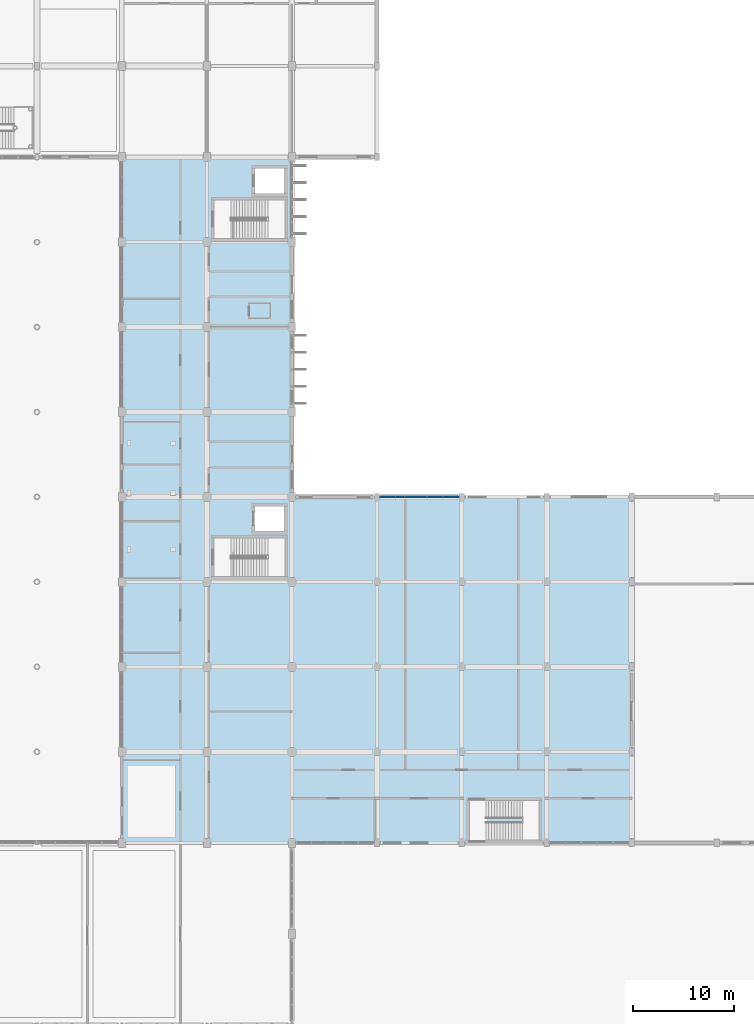
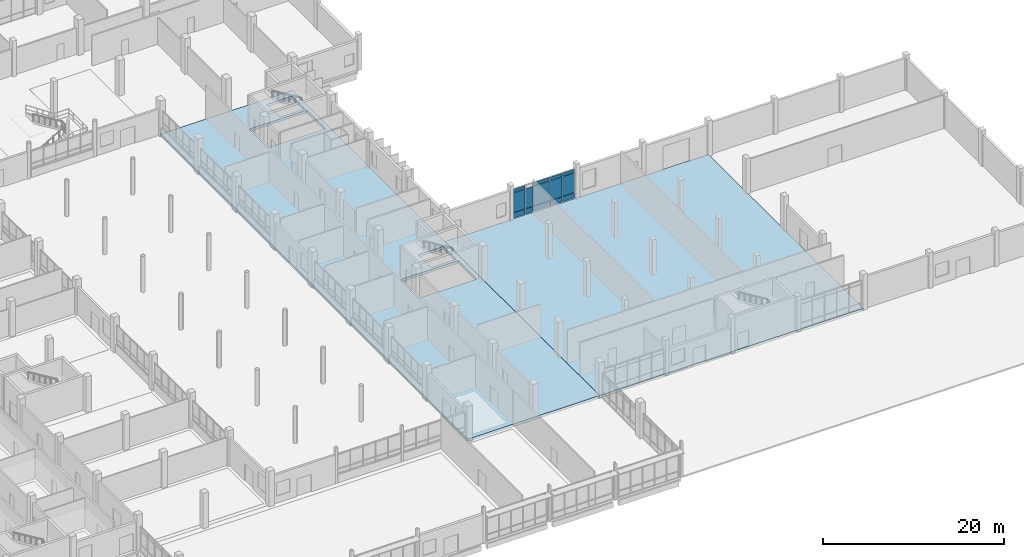
# One storey, part 67 of 95: 14 plates, 2 slabs, 4 openings, 1 element without a shape of its own.
"""IFC4 building model written with IfcOpenShell, lengths in metres."""

from ifc_helpers import new_model, si_unit, direction, frame, origin, origin_2d, place, context, subcontext, project, spatial, polyline, rectangle, outline, extrude, material, layer, layer_set, type_object, element, aggregate, save


model = new_model("IFC4")

# Units and contexts
model_context = context("Model", 3, precision=1e-05, world=origin(), true_north=direction((0.0, 1.0)))
body_context = subcontext(model_context, "Body", "Model", "MODEL_VIEW")
ifc_project = project(units=[si_unit("LENGTHUNIT", "METRE"), si_unit("AREAUNIT", "SQUARE_METRE"), si_unit("VOLUMEUNIT", "CUBIC_METRE"), si_unit("PLANEANGLEUNIT", "RADIAN"), si_unit("MASSUNIT", "GRAM", prefix="KILO")], contexts=[model_context])

# Site, building, storey
site_placement = place(None, origin())
site = spatial("IfcSite", under=ifc_project, at=site_placement, CompositionType="ELEMENT")
building_placement = place(site_placement, origin())
building = spatial("IfcBuilding", under=site, at=building_placement, Name="Vireocrest Preparatory School", CompositionType="ELEMENT")
storey_placement = place(building_placement, origin())
storey = spatial("IfcBuildingStorey", under=building, at=storey_placement, Name="L00", CompositionType="ELEMENT", Elevation=0.0)

# Curtain wall, plates
ifc_material_1 = material(Name="Thermally broken aluminium EN AW-6063-T6", Category="aluminium")
ifc_layer_1 = layer(ifc_material_1, 0.179931640625)
ifc_layer_set_1 = layer_set([ifc_layer_1], Name="Thermally broken aluminium EN AW-6063-T6")
curtain_wall_type = type_object("IfcCurtainWallType", Name="Library Reading Bay Glazing 7600x4200", PredefinedType="USERDEFINED", material=ifc_layer_set_1)
curtain_wall_placement = place(storey_placement, origin())
curtain_wall = element("IfcCurtainWall", 1, at=curtain_wall_placement, inside=storey, type_object=curtain_wall_type, Name="Curtain Wall CW16 CW_L00_CW16_1178_0522_000", ObjectType="CURTAIN WALL", PredefinedType="USERDEFINED")
ifc_material_2 = material(Name="Insulated triple low-e tempered safety glass", Category="glass")
ifc_layer_2 = layer(ifc_material_2, 0.074951171875)
ifc_layer_set_2 = layer_set([ifc_layer_2], Name="Insulated triple low-e tempered safety glass")
plate_type_1 = type_object("IfcPlateType", Name="Acoustic Triple-Glazed Lab Curtain Panel 75", PredefinedType="CURTAIN_PANEL", material=ifc_layer_set_2)
plate_1_placement = place(storey_placement, frame((118.66796875, 52.199951171875, 0.88232421875), z_axis=(0.0, 0.0, 1.0), x_axis=(1.0, 0.0, 0.0)))
plate_1 = element("IfcPlate", 2, at=plate_1_placement, type_object=plate_type_1, Name="CW Panel GL2 CW_L00_CW16_1178_0522_000-1-2", PredefinedType="CURTAIN_PANEL", context=body_context, shape_type="SweptSolid", body=[
    extrude(rectangle(XDim=1.5009765625, YDim=0.074951171875, at=origin_2d()), origin(), (0.0, 0.0, 1.0), 2.614990234375),
])
plate_2_placement = place(storey_placement, frame((118.66796875, 52.199951171875, 3.5625), z_axis=(0.0, 0.0, 1.0), x_axis=(1.0, 0.0, 0.0)))
plate_2 = element("IfcPlate", 3, at=plate_2_placement, type_object=plate_type_1, Name="CW Panel GL2 CW_L00_CW16_1178_0522_000-1-3", PredefinedType="CURTAIN_PANEL", context=body_context, shape_type="SweptSolid", body=[
    extrude(rectangle(XDim=1.5009765625, YDim=0.074951171875, at=origin_2d()), origin(), (0.0, 0.0, 1.0), 0.409912109375),
])
plate_3_placement = place(storey_placement, frame((119.925537109375, 52.199951171875, 0.88232421875), z_axis=(0.0, 0.0, 1.0), x_axis=(1.0, 0.0, 0.0)))
plate_3 = element("IfcPlate", 4, at=plate_3_placement, type_object=plate_type_1, Name="CW Panel GL2 CW_L00_CW16_1178_0522_000-2-2", PredefinedType="CURTAIN_PANEL", context=body_context, shape_type="SweptSolid", body=[
    extrude(rectangle(XDim=0.884033203125, YDim=0.074951171875, at=origin_2d()), origin(), (0.0, 0.0, 1.0), 2.614990234375),
])
plate_4_placement = place(storey_placement, frame((121.491455078125, 52.199951171875, 0.88232421875), z_axis=(0.0, 0.0, 1.0), x_axis=(1.0, 0.0, 0.0)))
plate_4 = element("IfcPlate", 5, at=plate_4_placement, type_object=plate_type_1, Name="CW Panel GL2 CW_L00_CW16_1178_0522_000-3-2", PredefinedType="CURTAIN_PANEL", context=body_context, shape_type="SweptSolid", body=[
    extrude(rectangle(XDim=2.117919921875, YDim=0.074951171875, at=origin_2d()), origin(), (0.0, 0.0, 1.0), 2.614990234375),
])
plate_5_placement = place(storey_placement, frame((121.491455078125, 52.199951171875, 3.5625), z_axis=(0.0, 0.0, 1.0), x_axis=(1.0, 0.0, 0.0)))
plate_5 = element("IfcPlate", 6, at=plate_5_placement, type_object=plate_type_1, Name="CW Panel GL2 CW_L00_CW16_1178_0522_000-3-3", PredefinedType="CURTAIN_PANEL", context=body_context, shape_type="SweptSolid", body=[
    extrude(rectangle(XDim=2.117919921875, YDim=0.074951171875, at=origin_2d()), origin(), (0.0, 0.0, 1.0), 0.409912109375),
])
plate_6_placement = place(storey_placement, frame((123.365966796875, 52.199951171875, 0.88232421875), z_axis=(0.0, 0.0, 1.0), x_axis=(1.0, 0.0, 0.0)))
plate_6 = element("IfcPlate", 7, at=plate_6_placement, type_object=plate_type_1, Name="CW Panel GL2 CW_L00_CW16_1178_0522_000-4-2", PredefinedType="CURTAIN_PANEL", context=body_context, shape_type="SweptSolid", body=[
    extrude(rectangle(XDim=1.5009765625, YDim=0.074951171875, at=origin_2d()), origin(), (0.0, 0.0, 1.0), 2.614990234375),
])
plate_7_placement = place(storey_placement, frame((123.365966796875, 52.199951171875, 3.5625), z_axis=(0.0, 0.0, 1.0), x_axis=(1.0, 0.0, 0.0)))
plate_7 = element("IfcPlate", 8, at=plate_7_placement, type_object=plate_type_1, Name="CW Panel GL2 CW_L00_CW16_1178_0522_000-4-3", PredefinedType="CURTAIN_PANEL", context=body_context, shape_type="SweptSolid", body=[
    extrude(rectangle(XDim=1.5009765625, YDim=0.074951171875, at=origin_2d()), origin(), (0.0, 0.0, 1.0), 0.409912109375),
])
plate_8_placement = place(storey_placement, frame((124.931884765625, 52.199951171875, 0.88232421875), z_axis=(0.0, 0.0, 1.0), x_axis=(1.0, 0.0, 0.0)))
plate_8 = element("IfcPlate", 9, at=plate_8_placement, type_object=plate_type_1, Name="CW Panel GL2 CW_L00_CW16_1178_0522_000-5-2", PredefinedType="CURTAIN_PANEL", context=body_context, shape_type="SweptSolid", body=[
    extrude(rectangle(XDim=1.5009765625, YDim=0.074951171875, at=origin_2d()), origin(), (0.0, 0.0, 1.0), 2.614990234375),
])
plate_9_placement = place(storey_placement, frame((124.931884765625, 52.199951171875, 3.5625), z_axis=(0.0, 0.0, 1.0), x_axis=(1.0, 0.0, 0.0)))
plate_9 = element("IfcPlate", 10, at=plate_9_placement, type_object=plate_type_1, Name="CW Panel GL2 CW_L00_CW16_1178_0522_000-5-3", PredefinedType="CURTAIN_PANEL", context=body_context, shape_type="SweptSolid", body=[
    extrude(rectangle(XDim=1.5009765625, YDim=0.074951171875, at=origin_2d()), origin(), (0.0, 0.0, 1.0), 0.409912109375),
])

# Slab, openings
ifc_material_3 = material(Name="Concrete 40 MPa", Category="concrete")
ifc_layer_3 = layer(ifc_material_3, 0.35009765625)
ifc_layer_set_3 = layer_set([ifc_layer_3], Name="Concrete 40 MPa")
slab_type = type_object("IfcSlabType", Name="Ground-Floor Structural Transfer RC Slab 350", PredefinedType="FLOOR", material=ifc_layer_set_3)
slab_1_placement = place(storey_placement, frame((0.0, 0.0, -0.35009765625)))
slab_1 = element("IfcSlab", 11, at=slab_1_placement, inside=storey, type_object=slab_type, Name="Slab L00_EAST_WING", PredefinedType="FLOOR", context=body_context, shape_type="SweptSolid", body=[
    extrude(outline(polyline([(92.39990234375, 18.0), (109.199951171875, 18.0), (109.199951171875, 85.800048828125), (92.39990234375, 85.800048828125), (92.39990234375, 18.0)])), origin(), (0.0, 0.0, 1.0), 0.35009765625),
])
opening_1_placement = place(slab_1_placement, frame((0.0, 0.0, -0.010009765625)))
element("IfcOpeningElement", 12, at=opening_1_placement, cuts=slab_1, Name="Slab Opening SLAB_L00_EAST_WING-1", PredefinedType="OPENING", context=body_context, shape_type="SweptSolid", body=[
    extrude(outline(polyline([(101.35009765625, 44.199951171875), (108.64990234375, 44.199951171875), (108.64990234375, 48.300048828125), (101.35009765625, 48.300048828125), (101.35009765625, 44.199951171875)])), origin(), (0.0, 0.0, 1.0), 0.3701171875),
])
opening_2_placement = place(slab_1_placement, frame((0.0, 0.0, -0.010009765625)))
element("IfcOpeningElement", 13, at=opening_2_placement, cuts=slab_1, Name="Slab Opening SLAB_L00_EAST_WING-2", PredefinedType="OPENING", context=body_context, shape_type="SweptSolid", body=[
    extrude(outline(polyline([(105.39990234375, 48.64990234375), (108.60009765625, 48.64990234375), (108.60009765625, 51.449951171875), (105.39990234375, 51.449951171875), (105.39990234375, 48.64990234375)])), origin(), (0.0, 0.0, 1.0), 0.3701171875),
])
opening_3_placement = place(slab_1_placement, frame((0.0, 0.0, -0.010009765625)))
element("IfcOpeningElement", 14, at=opening_3_placement, cuts=slab_1, Name="Slab Opening SLAB_L00_EAST_WING-3", PredefinedType="OPENING", context=body_context, shape_type="SweptSolid", body=[
    extrude(outline(polyline([(101.35009765625, 77.60009765625), (108.64990234375, 77.60009765625), (108.64990234375, 81.699951171875), (101.35009765625, 81.699951171875), (101.35009765625, 77.60009765625)])), origin(), (0.0, 0.0, 1.0), 0.3701171875),
])
opening_4_placement = place(slab_1_placement, frame((0.0, 0.0, -0.010009765625)))
element("IfcOpeningElement", 15, at=opening_4_placement, cuts=slab_1, Name="Slab Opening SLAB_L00_EAST_WING-4", PredefinedType="OPENING", context=body_context, shape_type="SweptSolid", body=[
    extrude(outline(polyline([(105.39990234375, 82.050048828125), (108.60009765625, 82.050048828125), (108.60009765625, 84.85009765625), (105.39990234375, 84.85009765625), (105.39990234375, 82.050048828125)])), origin(), (0.0, 0.0, 1.0), 0.3701171875),
])

# Slab
slab_2_placement = place(storey_placement, frame((0.0, 0.0, -0.35009765625)))
element("IfcSlab", 16, at=slab_2_placement, inside=storey, type_object=slab_type, Name="Slab L00_EAST_LINK", PredefinedType="FLOOR", context=body_context, shape_type="SweptSolid", body=[
    extrude(outline(polyline([(109.199951171875, 18.0), (142.800048828125, 18.0), (142.800048828125, 52.199951171875), (109.199951171875, 52.199951171875), (109.199951171875, 18.0)])), origin(), (0.0, 0.0, 1.0), 0.35009765625),
])

# Plate
ifc_material_4 = material(Name="Painted white aluminium cladding EN AW-6063-T6", Category="aluminium")
ifc_layer_4 = layer(ifc_material_4, 0.114990234375)
ifc_layer_set_4 = layer_set([ifc_layer_4], Name="Painted white aluminium cladding EN AW-6063-T6")
plate_type_2 = type_object("IfcPlateType", Name="Insulated White Spandrel Curtain Panel 115", PredefinedType="CURTAIN_PANEL", material=ifc_layer_set_4)
plate_10_placement = place(storey_placement, frame((118.66796875, 52.199951171875, 0.12744140625), z_axis=(0.0, 0.0, 1.0), x_axis=(1.0, 0.0, 0.0)))
plate_10 = element("IfcPlate", 17, at=plate_10_placement, type_object=plate_type_2, Name="CW Panel SP2 CW_L00_CW16_1178_0522_000-1-1", PredefinedType="CURTAIN_PANEL", context=body_context, shape_type="SweptSolid", body=[
    extrude(rectangle(XDim=1.5009765625, YDim=0.114990234375, at=origin_2d()), origin(), (0.0, 0.0, 1.0), 0.68994140625),
])

plate_11_placement = place(storey_placement, frame((119.925537109375, 52.199951171875, 0.12744140625), z_axis=(0.0, 0.0, 1.0), x_axis=(1.0, 0.0, 0.0)))
plate_11 = element("IfcPlate", 18, at=plate_11_placement, type_object=plate_type_2, Name="CW Panel SP2 CW_L00_CW16_1178_0522_000-2-1", PredefinedType="CURTAIN_PANEL", context=body_context, shape_type="SweptSolid", body=[
    extrude(rectangle(XDim=0.884033203125, YDim=0.114990234375, at=origin_2d()), origin(), (0.0, 0.0, 1.0), 0.68994140625),
])

plate_12_placement = place(storey_placement, frame((121.491455078125, 52.199951171875, 0.12744140625), z_axis=(0.0, 0.0, 1.0), x_axis=(1.0, 0.0, 0.0)))
plate_12 = element("IfcPlate", 19, at=plate_12_placement, type_object=plate_type_2, Name="CW Panel SP2 CW_L00_CW16_1178_0522_000-3-1", PredefinedType="CURTAIN_PANEL", context=body_context, shape_type="SweptSolid", body=[
    extrude(rectangle(XDim=2.117919921875, YDim=0.114990234375, at=origin_2d()), origin(), (0.0, 0.0, 1.0), 0.68994140625),
])

plate_13_placement = place(storey_placement, frame((123.365966796875, 52.199951171875, 0.12744140625), z_axis=(0.0, 0.0, 1.0), x_axis=(1.0, 0.0, 0.0)))
plate_13 = element("IfcPlate", 20, at=plate_13_placement, type_object=plate_type_2, Name="CW Panel SP2 CW_L00_CW16_1178_0522_000-4-1", PredefinedType="CURTAIN_PANEL", context=body_context, shape_type="SweptSolid", body=[
    extrude(rectangle(XDim=1.5009765625, YDim=0.114990234375, at=origin_2d()), origin(), (0.0, 0.0, 1.0), 0.68994140625),
])

plate_14_placement = place(storey_placement, frame((124.931884765625, 52.199951171875, 0.12744140625), z_axis=(0.0, 0.0, 1.0), x_axis=(1.0, 0.0, 0.0)))
plate_14 = element("IfcPlate", 21, at=plate_14_placement, type_object=plate_type_2, Name="CW Panel SP2 CW_L00_CW16_1178_0522_000-5-1", PredefinedType="CURTAIN_PANEL", context=body_context, shape_type="SweptSolid", body=[
    extrude(rectangle(XDim=1.5009765625, YDim=0.114990234375, at=origin_2d()), origin(), (0.0, 0.0, 1.0), 0.68994140625),
])

aggregate(curtain_wall, [plate_10, plate_1, plate_2, plate_11, plate_3, plate_12, plate_4, plate_5, plate_13, plate_6, plate_7, plate_14, plate_8, plate_9])

save(model, "model.ifc")
